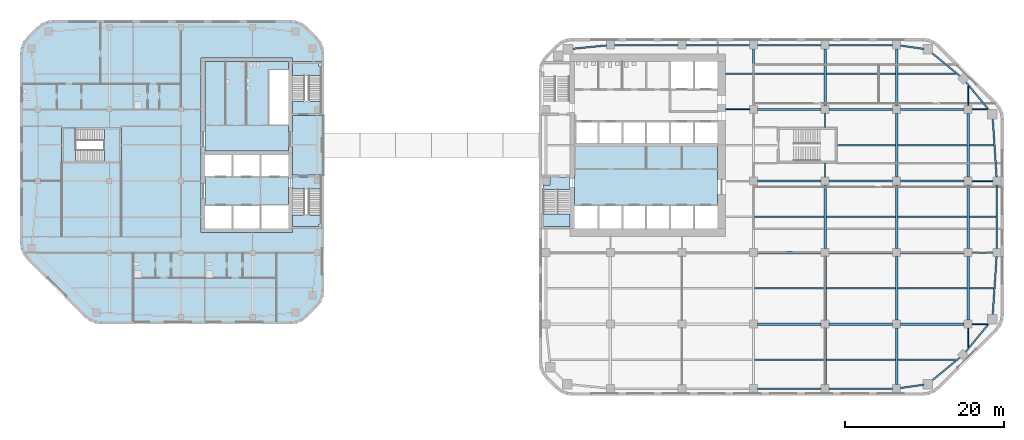
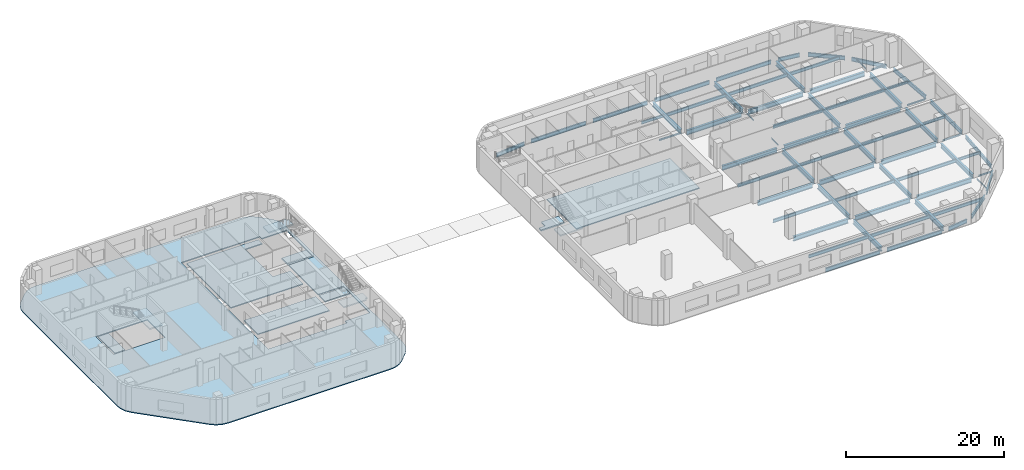
# One storey, part 3 of 15: 68 beams, 12 slabs, 4 elements without a shape of their own.
"""IFC4 building model written with IfcOpenShell, lengths in metres."""

from ifc_helpers import new_model, si_unit, direction, frame, origin, origin_2d, place, context, subcontext, project, spatial, polyline, i_section, outline, extrude, material, layer, layer_set, material_profile, profile_set, type_object, element, aggregate, save


model = new_model("IFC4")

# Units and contexts
model_context = context("Model", 3, precision=1e-05, world=origin(), true_north=direction((0.0, 1.0)))
body_context = subcontext(model_context, "Body", "Model", "MODEL_VIEW")
ifc_project = project(units=[si_unit("LENGTHUNIT", "METRE"), si_unit("AREAUNIT", "SQUARE_METRE"), si_unit("VOLUMEUNIT", "CUBIC_METRE"), si_unit("PLANEANGLEUNIT", "RADIAN"), si_unit("MASSUNIT", "GRAM", prefix="KILO")], contexts=[model_context])

# Site, building, storey
site_placement = place(None, origin())
site = spatial("IfcSite", under=ifc_project, at=site_placement, CompositionType="ELEMENT")
building_placement = place(site_placement, origin())
building = spatial("IfcBuilding", under=site, at=building_placement, Name="Cinnabar Reach Civic Tower", CompositionType="ELEMENT")
storey_placement = place(building_placement, frame((0.0, 0.0, 75.0)))
storey = spatial("IfcBuildingStorey", under=building, at=storey_placement, Name="L17", CompositionType="ELEMENT", Elevation=75.0)

# Beams
ifc_material_1 = material(Name="Steel Q355B", Category="steel")
ifc_material_profile_1 = material_profile(ifc_material_1, i_section(OverallWidth=0.099, OverallDepth=0.198, WebThickness=0.0045, FlangeThickness=0.007, FilletRadius=0.013, at=origin_2d()), Name="HN200x100x5.5x8")
ifc_profile_set_1 = profile_set([ifc_material_profile_1], Name="Steel Q355B")
beam_type_1 = type_object("IfcBeamType", Name="HN200x100x5.5x8 beam R 180", PredefinedType="BEAM", material=ifc_profile_set_1)
for number, where, z_axis, x_axis, name in (
    (1, (36.0, 27.502, -0.249), (0.0, 1.0, 0.0), (-1.0, 0.0, 0.0), "Girder T1 L17 15"),
    (2, (36.0, 33.752, -0.249), (0.0, 1.0, 0.0), (-1.0, 0.0, 0.0), "Girder T1 L17 16"),
):
    element("IfcBeam", number, at=place(storey_placement, frame(where, z_axis=z_axis, x_axis=x_axis)), inside=storey, type_object=beam_type_1, Name=name, PredefinedType="BEAM", context=body_context, shape_type="SweptSolid", body=[
        extrude(i_section(OverallWidth=0.099, OverallDepth=0.198, WebThickness=0.0045, FlangeThickness=0.007, FilletRadius=0.013, at=origin_2d()), origin(), (0.0, 0.0, 1.0), 1.746),
    ])
for number, where, z_axis, x_axis, name in (
    (3, (54.0, 6.0682, -0.249), (0.0, 1.0, 0.0), (-1.0, 0.0, 0.0), "Girder T1 L17 23"),
    (4, (54.0, 36.502, -0.249), (0.0, 1.0, 0.0), (-1.0, 0.0, 0.0), "Girder T1 L17 27"),
):
    element("IfcBeam", number, at=place(storey_placement, frame(where, z_axis=z_axis, x_axis=x_axis)), inside=storey, type_object=beam_type_1, Name=name, PredefinedType="BEAM", context=body_context, shape_type="SweptSolid", body=[
        extrude(i_section(OverallWidth=0.099, OverallDepth=0.198, WebThickness=0.0045, FlangeThickness=0.007, FilletRadius=0.013, at=origin_2d()), origin(), (0.0, 0.0, 1.0), 2.4298),
    ])
ifc_material_profile_2 = material_profile(ifc_material_1, i_section(OverallWidth=0.124, OverallDepth=0.248, WebThickness=0.005, FlangeThickness=0.008, FilletRadius=0.013, at=origin_2d()), Name="HN250x125x6x9")
ifc_profile_set_2 = profile_set([ifc_material_profile_2], Name="Steel Q355B")
beam_type_2 = type_object("IfcBeamType", Name="HN250x125x6x9 beam R 180", PredefinedType="BEAM", material=ifc_profile_set_2)
beam_1_placement = place(storey_placement, frame((54.502, 9.0, -0.274), z_axis=(1.0, 0.0, 0.0), x_axis=(0.0, 1.0, 0.0)))
element("IfcBeam", 5, at=beam_1_placement, inside=storey, type_object=beam_type_2, Name="Girder T1 L17 7", PredefinedType="BEAM", context=body_context, shape_type="SweptSolid", body=[
    extrude(i_section(OverallWidth=0.124, OverallDepth=0.248, WebThickness=0.005, FlangeThickness=0.008, FilletRadius=0.013, at=origin_2d()), origin(), (0.0, 0.0, 1.0), 1.9162),
])
for number, where, z_axis, x_axis, name in (
    (6, (54.502, 18.0, -0.274), (1.0, 0.0, 0.0), (0.0, 1.0, 0.0), "Girder T1 L17 14"),
    (7, (54.502, 27.0, -0.274), (1.0, 0.0, 0.0), (0.0, 1.0, 0.0), "Girder T1 L17 19"),
):
    element("IfcBeam", number, at=place(storey_placement, frame(where, z_axis=z_axis, x_axis=x_axis)), inside=storey, type_object=beam_type_2, Name=name, PredefinedType="BEAM", context=body_context, shape_type="SweptSolid", body=[
        extrude(i_section(OverallWidth=0.124, OverallDepth=0.248, WebThickness=0.005, FlangeThickness=0.008, FilletRadius=0.013, at=origin_2d()), origin(), (0.0, 0.0, 1.0), 2.596),
    ])
beam_2_placement = place(storey_placement, frame((23.502, 36.0, -0.274), z_axis=(1.0, 0.0, 0.0), x_axis=(0.0, 1.0, 0.0)))
element("IfcBeam", 8, at=beam_2_placement, inside=storey, type_object=beam_type_2, Name="Girder T1 L17 20", PredefinedType="BEAM", context=body_context, shape_type="SweptSolid", body=[
    extrude(i_section(OverallWidth=0.124, OverallDepth=0.248, WebThickness=0.005, FlangeThickness=0.008, FilletRadius=0.013, at=origin_2d()), origin(), (0.0, 0.0, 1.0), 2.996),
])
beam_3_placement = place(storey_placement, frame((54.502, 36.0, -0.274), z_axis=(1.0, 0.0, 0.0), x_axis=(0.0, 1.0, 0.0)))
element("IfcBeam", 9, at=beam_3_placement, inside=storey, type_object=beam_type_2, Name="Girder T1 L17 24", PredefinedType="BEAM", context=body_context, shape_type="SweptSolid", body=[
    extrude(i_section(OverallWidth=0.124, OverallDepth=0.248, WebThickness=0.005, FlangeThickness=0.008, FilletRadius=0.013, at=origin_2d()), origin(), (0.0, 0.0, 1.0), 1.9162),
])
ifc_material_profile_3 = material_profile(ifc_material_1, i_section(OverallWidth=0.2, OverallDepth=0.4, WebThickness=0.008, FlangeThickness=0.013, FilletRadius=0.016, at=origin_2d()), Name="HN400x200x8x13")
ifc_profile_set_3 = profile_set([ifc_material_profile_3], Name="Steel Q355B")
beam_type_3 = type_object("IfcBeamType", Name="HN400x200x8x13 beam R 180", PredefinedType="BEAM", material=ifc_profile_set_3)
beam_4_placement = place(storey_placement, frame((54.152, 13.5, -0.35), z_axis=(1.0, 0.0, 0.0), x_axis=(0.0, 1.0, 0.0)))
element("IfcBeam", 10, at=beam_4_placement, inside=storey, type_object=beam_type_3, Name="Secondary beam T1 L17 13", PredefinedType="BEAM", context=body_context, shape_type="SweptSolid", body=[
    extrude(i_section(OverallWidth=0.2, OverallDepth=0.4, WebThickness=0.008, FlangeThickness=0.013, FilletRadius=0.016, at=origin_2d()), origin(), (0.0, 0.0, 1.0), 3.0494),
])
beam_5_placement = place(storey_placement, frame((54.152, 22.5, -0.35), z_axis=(1.0, 0.0, 0.0), x_axis=(0.0, 1.0, 0.0)))
element("IfcBeam", 11, at=beam_5_placement, inside=storey, type_object=beam_type_3, Name="Secondary beam T1 L17 18", PredefinedType="BEAM", context=body_context, shape_type="SweptSolid", body=[
    extrude(i_section(OverallWidth=0.2, OverallDepth=0.4, WebThickness=0.008, FlangeThickness=0.013, FilletRadius=0.016, at=origin_2d()), origin(), (0.0, 0.0, 1.0), 3.346),
])
beam_6_placement = place(storey_placement, frame((54.152, 31.5, -0.35), z_axis=(1.0, 0.0, 0.0), x_axis=(0.0, 1.0, 0.0)))
element("IfcBeam", 12, at=beam_6_placement, inside=storey, type_object=beam_type_3, Name="Secondary beam T1 L17 24", PredefinedType="BEAM", context=body_context, shape_type="SweptSolid", body=[
    extrude(i_section(OverallWidth=0.2, OverallDepth=0.4, WebThickness=0.008, FlangeThickness=0.013, FilletRadius=0.016, at=origin_2d()), origin(), (0.0, 0.0, 1.0), 3.0494),
])
beam_7_placement = place(storey_placement, frame((23.502, 40.5, -0.35), z_axis=(1.0, 0.0, 0.0), x_axis=(0.0, 1.0, 0.0)))
element("IfcBeam", 13, at=beam_7_placement, inside=storey, type_object=beam_type_3, Name="Secondary beam T1 L17 25", PredefinedType="BEAM", context=body_context, shape_type="SweptSolid", body=[
    extrude(i_section(OverallWidth=0.2, OverallDepth=0.4, WebThickness=0.008, FlangeThickness=0.013, FilletRadius=0.016, at=origin_2d()), origin(), (0.0, 0.0, 1.0), 3.346),
])
ifc_material_profile_4 = material_profile(ifc_material_1, i_section(OverallWidth=0.2, OverallDepth=0.5, WebThickness=0.01, FlangeThickness=0.016, FilletRadius=0.016, at=origin_2d()), Name="HN500x200x10x16")
ifc_profile_set_4 = profile_set([ifc_material_profile_4], Name="Steel Q355B")
beam_type_4 = type_object("IfcBeamType", Name="HN500x200x10x16 beam R 180", PredefinedType="BEAM", material=ifc_profile_set_4)
for number, where, z_axis, x_axis, name in (
    (14, (27.152, 4.5, -0.4), (1.0, 0.0, 0.0), (0.0, 1.0, 0.0), "Secondary beam T1 L17 4"),
    (15, (36.152, 4.5, -0.4), (1.0, 0.0, 0.0), (0.0, 1.0, 0.0), "Secondary beam T1 L17 5"),
):
    element("IfcBeam", number, at=place(storey_placement, frame(where, z_axis=z_axis, x_axis=x_axis)), inside=storey, type_object=beam_type_4, Name=name, PredefinedType="BEAM", context=body_context, shape_type="SweptSolid", body=[
        extrude(i_section(OverallWidth=0.2, OverallDepth=0.5, WebThickness=0.01, FlangeThickness=0.016, FilletRadius=0.016, at=origin_2d()), origin(), (0.0, 0.0, 1.0), 8.696),
    ])
beam_8_placement = place(storey_placement, frame((45.152, 4.5, -0.4), z_axis=(1.0, 0.0, 0.0), x_axis=(0.0, 1.0, 0.0)))
element("IfcBeam", 16, at=beam_8_placement, inside=storey, type_object=beam_type_4, Name="Secondary beam T1 L17 6", PredefinedType="BEAM", context=body_context, shape_type="SweptSolid", body=[
    extrude(i_section(OverallWidth=0.2, OverallDepth=0.5, WebThickness=0.01, FlangeThickness=0.016, FilletRadius=0.016, at=origin_2d()), origin(), (0.0, 0.0, 1.0), 7.2798),
])
for number, where, z_axis, x_axis, name in (
    (17, (27.152, 13.5, -0.4), (1.0, 0.0, 0.0), (0.0, 1.0, 0.0), "Secondary beam T1 L17 10"),
    (18, (36.152, 13.5, -0.4), (1.0, 0.0, 0.0), (0.0, 1.0, 0.0), "Secondary beam T1 L17 11"),
    (19, (45.152, 13.5, -0.4), (1.0, 0.0, 0.0), (0.0, 1.0, 0.0), "Secondary beam T1 L17 12"),
    (20, (27.152, 22.5, -0.4), (1.0, 0.0, 0.0), (0.0, 1.0, 0.0), "Secondary beam T1 L17 15"),
    (21, (36.152, 22.5, -0.4), (1.0, 0.0, 0.0), (0.0, 1.0, 0.0), "Secondary beam T1 L17 16"),
    (22, (45.152, 22.5, -0.4), (1.0, 0.0, 0.0), (0.0, 1.0, 0.0), "Secondary beam T1 L17 17"),
):
    element("IfcBeam", number, at=place(storey_placement, frame(where, z_axis=z_axis, x_axis=x_axis)), inside=storey, type_object=beam_type_4, Name=name, PredefinedType="BEAM", context=body_context, shape_type="SweptSolid", body=[
        extrude(i_section(OverallWidth=0.2, OverallDepth=0.5, WebThickness=0.01, FlangeThickness=0.016, FilletRadius=0.016, at=origin_2d()), origin(), (0.0, 0.0, 1.0), 8.696),
    ])
beam_9_placement = place(storey_placement, frame((37.502, 31.5, -0.4), z_axis=(1.0, 0.0, 0.0), x_axis=(0.0, 1.0, 0.0)))
element("IfcBeam", 23, at=beam_9_placement, inside=storey, type_object=beam_type_4, Name="Secondary beam T1 L17 22", PredefinedType="BEAM", context=body_context, shape_type="SweptSolid", body=[
    extrude(i_section(OverallWidth=0.2, OverallDepth=0.5, WebThickness=0.01, FlangeThickness=0.016, FilletRadius=0.016, at=origin_2d()), origin(), (0.0, 0.0, 1.0), 7.346),
])
for number, where, z_axis, x_axis, name in (
    (24, (45.152, 31.5, -0.4), (1.0, 0.0, 0.0), (0.0, 1.0, 0.0), "Secondary beam T1 L17 23"),
    (25, (27.152, 40.5, -0.4), (1.0, 0.0, 0.0), (0.0, 1.0, 0.0), "Secondary beam T1 L17 26"),
    (26, (36.152, 40.5, -0.4), (1.0, 0.0, 0.0), (0.0, 1.0, 0.0), "Secondary beam T1 L17 27"),
):
    element("IfcBeam", number, at=place(storey_placement, frame(where, z_axis=z_axis, x_axis=x_axis)), inside=storey, type_object=beam_type_4, Name=name, PredefinedType="BEAM", context=body_context, shape_type="SweptSolid", body=[
        extrude(i_section(OverallWidth=0.2, OverallDepth=0.5, WebThickness=0.01, FlangeThickness=0.016, FilletRadius=0.016, at=origin_2d()), origin(), (0.0, 0.0, 1.0), 8.696),
    ])
beam_10_placement = place(storey_placement, frame((45.152, 40.5, -0.4), z_axis=(1.0, 0.0, 0.0), x_axis=(0.0, 1.0, 0.0)))
element("IfcBeam", 27, at=beam_10_placement, inside=storey, type_object=beam_type_4, Name="Secondary beam T1 L17 28", PredefinedType="BEAM", context=body_context, shape_type="SweptSolid", body=[
    extrude(i_section(OverallWidth=0.2, OverallDepth=0.5, WebThickness=0.01, FlangeThickness=0.016, FilletRadius=0.016, at=origin_2d()), origin(), (0.0, 0.0, 1.0), 7.2798),
])
ifc_material_profile_5 = material_profile(ifc_material_1, i_section(OverallWidth=0.2, OverallDepth=0.6, WebThickness=0.011, FlangeThickness=0.017, FilletRadius=0.016, at=origin_2d()), Name="HN600x200x11x17")
ifc_profile_set_5 = profile_set([ifc_material_profile_5], Name="Steel Q355B")
beam_type_5 = type_object("IfcBeamType", Name="HN600x200x11x17 beam R 180", PredefinedType="BEAM", material=ifc_profile_set_5)
for number, where, z_axis, x_axis, name in (
    (28, (27.502, 0.9, -0.45), (1.0, 0.0, 0.0), (0.0, 1.0, 0.0), "Edge beam T1 L17 4"),
    (29, (36.502, 0.9, -0.45), (1.0, 0.0, 0.0), (0.0, 1.0, 0.0), "Edge beam T1 L17 5"),
):
    element("IfcBeam", number, at=place(storey_placement, frame(where, z_axis=z_axis, x_axis=x_axis)), inside=storey, type_object=beam_type_5, Name=name, PredefinedType="BEAM", context=body_context, shape_type="SweptSolid", body=[
        extrude(i_section(OverallWidth=0.2, OverallDepth=0.6, WebThickness=0.011, FlangeThickness=0.017, FilletRadius=0.016, at=origin_2d()), origin(), (0.0, 0.0, 1.0), 7.996),
    ])
beam_11_placement = place(storey_placement, frame((45.502, 0.9712, -0.45), z_axis=(0.990082238922, 0.140489003738, 0.0), x_axis=(-0.140489003738, 0.990082238922, 0.0)))
element("IfcBeam", 30, at=beam_11_placement, inside=storey, type_object=beam_type_5, Name="Edge beam T1 L17 6", PredefinedType="BEAM", context=body_context, shape_type="SweptSolid", body=[
    extrude(i_section(OverallWidth=0.2, OverallDepth=0.6, WebThickness=0.011, FlangeThickness=0.017, FilletRadius=0.016, at=origin_2d()), origin(), (0.0, 0.0, 1.0), 2.9433),
])
for number, where, z_axis, x_axis, name in (
    (31, (49.3801, 1.8507, -0.45), (0.77143827905, 0.6363041581, 0.0), (-0.6363041581, 0.77143827905, 0.0), "Edge beam T1 L17 7"),
    (32, (53.6461, 5.4789, -0.45), (0.6363041581, 0.77143827905, 0.0), (-0.77143827905, 0.6363041581, 0.0), "Edge beam T1 L17 8"),
):
    element("IfcBeam", number, at=place(storey_placement, frame(where, z_axis=z_axis, x_axis=x_axis)), inside=storey, type_object=beam_type_5, Name=name, PredefinedType="BEAM", context=body_context, shape_type="SweptSolid", body=[
        extrude(i_section(OverallWidth=0.2, OverallDepth=0.6, WebThickness=0.011, FlangeThickness=0.017, FilletRadius=0.016, at=origin_2d()), origin(), (0.0, 0.0, 1.0), 4.7198),
    ])
beam_12_placement = place(storey_placement, frame((57.0786, 10.0839, -0.45), z_axis=(0.065718615968, 0.997838195057, 0.0), x_axis=(-0.997838195057, 0.065718615968, 0.0)))
element("IfcBeam", 33, at=beam_12_placement, inside=storey, type_object=beam_type_5, Name="Edge beam T1 L17 9", PredefinedType="BEAM", context=body_context, shape_type="SweptSolid", body=[
    extrude(i_section(OverallWidth=0.2, OverallDepth=0.6, WebThickness=0.011, FlangeThickness=0.017, FilletRadius=0.016, at=origin_2d()), origin(), (0.0, 0.0, 1.0), 7.4302),
])
beam_13_placement = place(storey_placement, frame((57.6, 18.502, -0.45), z_axis=(0.0, 1.0, 0.0), x_axis=(-1.0, 0.0, 0.0)))
element("IfcBeam", 34, at=beam_13_placement, inside=storey, type_object=beam_type_5, Name="Edge beam T1 L17 10", PredefinedType="BEAM", context=body_context, shape_type="SweptSolid", body=[
    extrude(i_section(OverallWidth=0.2, OverallDepth=0.6, WebThickness=0.011, FlangeThickness=0.017, FilletRadius=0.016, at=origin_2d()), origin(), (0.0, 0.0, 1.0), 7.996),
])
beam_14_placement = place(storey_placement, frame((57.5669, 27.502, -0.45), z_axis=(-0.065718615968, 0.997838195057, 0.0), x_axis=(-0.997838195057, -0.065718615968, 0.0)))
element("IfcBeam", 35, at=beam_14_placement, inside=storey, type_object=beam_type_5, Name="Edge beam T1 L17 11", PredefinedType="BEAM", context=body_context, shape_type="SweptSolid", body=[
    extrude(i_section(OverallWidth=0.2, OverallDepth=0.6, WebThickness=0.011, FlangeThickness=0.017, FilletRadius=0.016, at=origin_2d()), origin(), (0.0, 0.0, 1.0), 7.4302),
])
for number, where, z_axis, x_axis, name in (
    (36, (56.6493, 35.8801, -0.45), (-0.6363041581, 0.77143827905, 0.0), (-0.77143827905, -0.6363041581, 0.0), "Edge beam T1 L17 12"),
    (37, (53.0211, 40.1461, -0.45), (-0.77143827905, 0.6363041581, 0.0), (-0.6363041581, -0.77143827905, 0.0), "Edge beam T1 L17 13"),
):
    element("IfcBeam", number, at=place(storey_placement, frame(where, z_axis=z_axis, x_axis=x_axis)), inside=storey, type_object=beam_type_5, Name=name, PredefinedType="BEAM", context=body_context, shape_type="SweptSolid", body=[
        extrude(i_section(OverallWidth=0.2, OverallDepth=0.6, WebThickness=0.011, FlangeThickness=0.017, FilletRadius=0.016, at=origin_2d()), origin(), (0.0, 0.0, 1.0), 4.7198),
    ])
beam_15_placement = place(storey_placement, frame((48.4161, 43.6153, -0.45), z_axis=(-0.990082238922, 0.140489003738, 0.0), x_axis=(-0.140489003738, -0.990082238922, 0.0)))
element("IfcBeam", 38, at=beam_15_placement, inside=storey, type_object=beam_type_5, Name="Edge beam T1 L17 14", PredefinedType="BEAM", context=body_context, shape_type="SweptSolid", body=[
    extrude(i_section(OverallWidth=0.2, OverallDepth=0.6, WebThickness=0.011, FlangeThickness=0.017, FilletRadius=0.016, at=origin_2d()), origin(), (0.0, 0.0, 1.0), 2.9433),
])
for number, where, z_axis, x_axis, name in (
    (39, (44.498, 44.1, -0.45), (-1.0, 0.0, 0.0), (0.0, -1.0, 0.0), "Edge beam T1 L17 15"),
    (40, (35.498, 44.1, -0.45), (-1.0, 0.0, 0.0), (0.0, -1.0, 0.0), "Edge beam T1 L17 16"),
    (41, (26.498, 44.1, -0.45), (-1.0, 0.0, 0.0), (0.0, -1.0, 0.0), "Edge beam T1 L17 17"),
    (42, (17.498, 44.1, -0.45), (-1.0, 0.0, 0.0), (0.0, -1.0, 0.0), "Edge beam T1 L17 18"),
):
    element("IfcBeam", number, at=place(storey_placement, frame(where, z_axis=z_axis, x_axis=x_axis)), inside=storey, type_object=beam_type_5, Name=name, PredefinedType="BEAM", context=body_context, shape_type="SweptSolid", body=[
        extrude(i_section(OverallWidth=0.2, OverallDepth=0.6, WebThickness=0.011, FlangeThickness=0.017, FilletRadius=0.016, at=origin_2d()), origin(), (0.0, 0.0, 1.0), 7.996),
    ])
beam_16_placement = place(storey_placement, frame((8.498, 44.0505, -0.45), z_axis=(-0.995166374533, -0.098203294236, 0.0), x_axis=(0.098203294236, -0.995166374533, 0.0)))
element("IfcBeam", 43, at=beam_16_placement, inside=storey, type_object=beam_type_5, Name="Edge beam T1 L17 19", PredefinedType="BEAM", context=body_context, shape_type="SweptSolid", body=[
    extrude(i_section(OverallWidth=0.2, OverallDepth=0.6, WebThickness=0.011, FlangeThickness=0.017, FilletRadius=0.016, at=origin_2d()), origin(), (0.0, 0.0, 1.0), 4.3705),
])
ifc_material_profile_6 = material_profile(ifc_material_1, i_section(OverallWidth=0.3, OverallDepth=0.692, WebThickness=0.013, FlangeThickness=0.02, FilletRadius=0.016, at=origin_2d()), Name="HN692x300x13x20")
ifc_profile_set_6 = profile_set([ifc_material_profile_6], Name="Steel Q355B")
beam_type_6 = type_object("IfcBeamType", Name="HN692x300x13x20 beam R 180", PredefinedType="BEAM", material=ifc_profile_set_6)
for number, where, z_axis, x_axis, name in (
    (44, (27.0, 36.502, -0.496), (0.0, 1.0, 0.0), (-1.0, 0.0, 0.0), "Girder T1 L17 11"),
    (45, (36.0, 1.402, -0.496), (0.0, 1.0, 0.0), (-1.0, 0.0, 0.0), "Girder T1 L17 12"),
):
    element("IfcBeam", number, at=place(storey_placement, frame(where, z_axis=z_axis, x_axis=x_axis)), inside=storey, type_object=beam_type_6, Name=name, PredefinedType="BEAM", context=body_context, shape_type="SweptSolid", body=[
        extrude(i_section(OverallWidth=0.3, OverallDepth=0.692, WebThickness=0.013, FlangeThickness=0.02, FilletRadius=0.016, at=origin_2d()), origin(), (0.0, 0.0, 1.0), 7.096),
    ])
for number, where, z_axis, x_axis, name in (
    (46, (36.0, 9.502, -0.496), (0.0, 1.0, 0.0), (-1.0, 0.0, 0.0), "Girder T1 L17 13"),
    (47, (36.0, 18.502, -0.496), (0.0, 1.0, 0.0), (-1.0, 0.0, 0.0), "Girder T1 L17 14"),
):
    element("IfcBeam", number, at=place(storey_placement, frame(where, z_axis=z_axis, x_axis=x_axis)), inside=storey, type_object=beam_type_6, Name=name, PredefinedType="BEAM", context=body_context, shape_type="SweptSolid", body=[
        extrude(i_section(OverallWidth=0.3, OverallDepth=0.692, WebThickness=0.013, FlangeThickness=0.02, FilletRadius=0.016, at=origin_2d()), origin(), (0.0, 0.0, 1.0), 7.996),
    ])
for number, where, z_axis, x_axis, name in (
    (48, (36.0, 36.502, -0.496), (0.0, 1.0, 0.0), (-1.0, 0.0, 0.0), "Girder T1 L17 17"),
    (49, (45.0, 1.402, -0.496), (0.0, 1.0, 0.0), (-1.0, 0.0, 0.0), "Girder T1 L17 18"),
):
    element("IfcBeam", number, at=place(storey_placement, frame(where, z_axis=z_axis, x_axis=x_axis)), inside=storey, type_object=beam_type_6, Name=name, PredefinedType="BEAM", context=body_context, shape_type="SweptSolid", body=[
        extrude(i_section(OverallWidth=0.3, OverallDepth=0.692, WebThickness=0.013, FlangeThickness=0.02, FilletRadius=0.016, at=origin_2d()), origin(), (0.0, 0.0, 1.0), 7.096),
    ])
for number, where, z_axis, x_axis, name in (
    (50, (45.0, 9.502, -0.496), (0.0, 1.0, 0.0), (-1.0, 0.0, 0.0), "Girder T1 L17 19"),
    (51, (45.0, 18.502, -0.496), (0.0, 1.0, 0.0), (-1.0, 0.0, 0.0), "Girder T1 L17 20"),
    (52, (45.0, 27.502, -0.496), (0.0, 1.0, 0.0), (-1.0, 0.0, 0.0), "Girder T1 L17 21"),
):
    element("IfcBeam", number, at=place(storey_placement, frame(where, z_axis=z_axis, x_axis=x_axis)), inside=storey, type_object=beam_type_6, Name=name, PredefinedType="BEAM", context=body_context, shape_type="SweptSolid", body=[
        extrude(i_section(OverallWidth=0.3, OverallDepth=0.692, WebThickness=0.013, FlangeThickness=0.02, FilletRadius=0.016, at=origin_2d()), origin(), (0.0, 0.0, 1.0), 7.996),
    ])
beam_17_placement = place(storey_placement, frame((45.0, 36.502, -0.496), z_axis=(0.0, 1.0, 0.0), x_axis=(-1.0, 0.0, 0.0)))
element("IfcBeam", 53, at=beam_17_placement, inside=storey, type_object=beam_type_6, Name="Girder T1 L17 22", PredefinedType="BEAM", context=body_context, shape_type="SweptSolid", body=[
    extrude(i_section(OverallWidth=0.3, OverallDepth=0.692, WebThickness=0.013, FlangeThickness=0.02, FilletRadius=0.016, at=origin_2d()), origin(), (0.0, 0.0, 1.0), 7.096),
])
for number, where, z_axis, x_axis, name in (
    (54, (54.0, 9.502, -0.496), (0.0, 1.0, 0.0), (-1.0, 0.0, 0.0), "Girder T1 L17 24"),
    (55, (54.0, 18.502, -0.496), (0.0, 1.0, 0.0), (-1.0, 0.0, 0.0), "Girder T1 L17 25"),
    (56, (54.0, 27.502, -0.496), (0.0, 1.0, 0.0), (-1.0, 0.0, 0.0), "Girder T1 L17 26"),
):
    element("IfcBeam", number, at=place(storey_placement, frame(where, z_axis=z_axis, x_axis=x_axis)), inside=storey, type_object=beam_type_6, Name=name, PredefinedType="BEAM", context=body_context, shape_type="SweptSolid", body=[
        extrude(i_section(OverallWidth=0.3, OverallDepth=0.692, WebThickness=0.013, FlangeThickness=0.02, FilletRadius=0.016, at=origin_2d()), origin(), (0.0, 0.0, 1.0), 7.996),
    ])
ifc_material_profile_7 = material_profile(ifc_material_1, i_section(OverallWidth=0.3, OverallDepth=0.7, WebThickness=0.013, FlangeThickness=0.024, FilletRadius=0.02, at=origin_2d()), Name="HN700x300x13x24")
ifc_profile_set_7 = profile_set([ifc_material_profile_7], Name="Steel Q355B")
beam_type_7 = type_object("IfcBeamType", Name="HN700x300x13x24 beam R 180", PredefinedType="BEAM", material=ifc_profile_set_7)
for number, where, z_axis, x_axis, name in (
    (57, (27.502, 9.0, -0.5), (1.0, 0.0, 0.0), (0.0, 1.0, 0.0), "Girder T1 L17 4"),
    (58, (36.502, 9.0, -0.5), (1.0, 0.0, 0.0), (0.0, 1.0, 0.0), "Girder T1 L17 5"),
    (59, (45.502, 9.0, -0.5), (1.0, 0.0, 0.0), (0.0, 1.0, 0.0), "Girder T1 L17 6"),
    (60, (27.502, 18.0, -0.5), (1.0, 0.0, 0.0), (0.0, 1.0, 0.0), "Girder T1 L17 11"),
    (61, (36.502, 18.0, -0.5), (1.0, 0.0, 0.0), (0.0, 1.0, 0.0), "Girder T1 L17 12"),
    (62, (45.502, 18.0, -0.5), (1.0, 0.0, 0.0), (0.0, 1.0, 0.0), "Girder T1 L17 13"),
    (63, (27.502, 27.0, -0.5), (1.0, 0.0, 0.0), (0.0, 1.0, 0.0), "Girder T1 L17 16"),
    (64, (36.502, 27.0, -0.5), (1.0, 0.0, 0.0), (0.0, 1.0, 0.0), "Girder T1 L17 17"),
    (65, (45.502, 27.0, -0.5), (1.0, 0.0, 0.0), (0.0, 1.0, 0.0), "Girder T1 L17 18"),
    (66, (27.502, 36.0, -0.5), (1.0, 0.0, 0.0), (0.0, 1.0, 0.0), "Girder T1 L17 21"),
    (67, (36.502, 36.0, -0.5), (1.0, 0.0, 0.0), (0.0, 1.0, 0.0), "Girder T1 L17 22"),
    (68, (45.502, 36.0, -0.5), (1.0, 0.0, 0.0), (0.0, 1.0, 0.0), "Girder T1 L17 23"),
):
    element("IfcBeam", number, at=place(storey_placement, frame(where, z_axis=z_axis, x_axis=x_axis)), inside=storey, type_object=beam_type_7, Name=name, PredefinedType="BEAM", context=body_context, shape_type="SweptSolid", body=[
        extrude(i_section(OverallWidth=0.3, OverallDepth=0.7, WebThickness=0.013, FlangeThickness=0.024, FilletRadius=0.02, at=origin_2d()), origin(), (0.0, 0.0, 1.0), 7.996),
    ])

# Slab
ifc_material_2 = material(Name="Concrete C40", Category="concrete")
ifc_layer_1 = layer(ifc_material_2, 0.15)
ifc_layer_set_1 = layer_set([ifc_layer_1], Name="Composite floor slab 150 REI 120")
slab_type_1 = type_object("IfcSlabType", Name="Composite floor slab 150 REI 120", PredefinedType="FLOOR", material=ifc_layer_set_1)
slab_1_placement = place(storey_placement, frame((0.0, 0.0, -0.15)))
element("IfcSlab", 69, at=slab_1_placement, inside=storey, type_object=slab_type_1, Name="Composite floor slab 150 T2 L17", PredefinedType="FLOOR", context=body_context, shape_type="SweptSolid", body=[
    extrude(outline(polyline([(-64.3713, 17.1213), (-64.8481, 17.7426), (-65.1478, 18.4662), (-65.25, 19.2426), (-65.25, 43.0074), (-65.1478, 43.7838), (-64.8481, 44.5074), (-64.3713, 45.1287), (-63.1287, 46.3713), (-62.5074, 46.8481), (-61.7838, 47.1478), (-61.0074, 47.25), (-31.2426, 47.25), (-30.4662, 47.1478), (-29.7426, 46.8481), (-29.1213, 46.3713), (-27.8787, 45.1287), (-27.4019, 44.5074), (-27.1022, 43.7838), (-27.0, 43.0074), (-27.0, 13.2426), (-27.1022, 12.4662), (-27.4019, 11.7426), (-27.8787, 11.1213), (-29.1213, 9.8787), (-29.7426, 9.4019), (-30.4662, 9.1022), (-31.2426, 9.0), (-55.0074, 9.0), (-55.7838, 9.1022), (-56.5074, 9.4019), (-57.1287, 9.8787), (-64.3713, 17.1213)]), holes=[polyline([(-31.0, 27.75), (-31.0, 35.25), (-27.36, 35.25), (-27.36, 42.0), (-31.0, 42.0), (-31.0, 42.5), (-42.5, 42.5), (-42.5, 20.5), (-31.0, 20.5), (-31.0, 21.0), (-27.36, 21.0), (-27.36, 27.75), (-31.0, 27.75)]), polyline([(-60.0, 33.75), (-60.0, 29.25), (-52.5, 29.25), (-52.5, 33.75), (-60.0, 33.75)])]), origin(), (0.0, 0.0, 1.0), 0.15),
])

# Stair, slabs
ifc_material_3 = material(Name="Concrete C40/50", Category="concrete")
stair_type_1 = type_object("IfcStairType", Name="T1 Exit stair, half-turn", PredefinedType="HALF_TURN_STAIR", material=ifc_material_3)
stair_1_placement = place(storey_placement, origin())
stair_1 = element("IfcStair", 70, at=stair_1_placement, inside=storey, type_object=stair_type_1, Name="Stair T1-S1", PredefinedType="HALF_TURN_STAIR")
ifc_layer_2 = layer(ifc_material_3, 0.2)
ifc_layer_set_2 = layer_set([ifc_layer_2], Name="T1 Stair landing 200, Concrete C40/50")
slab_type_2 = type_object("IfcSlabType", Name="T1 Stair landing 200, Concrete C40/50", PredefinedType="LANDING", material=ifc_layer_set_2)
slab_2_placement = place(storey_placement, frame((0.0, 0.0, -0.2)))
slab_2 = element("IfcSlab", 71, at=slab_2_placement, type_object=slab_type_2, Name="T1-S1 landing 1", PredefinedType="LANDING", context=body_context, shape_type="SweptSolid", body=[
    extrude(outline(polyline([(3.9, 27.5), (3.9, 25.95), (0.5, 25.95), (0.5, 26.5), (1.4, 26.5), (1.4, 27.5), (3.9, 27.5)])), origin(), (0.0, 0.0, 1.0), 0.2),
])
slab_3_placement = place(storey_placement, frame((0.0, 0.0, 1.8)))
slab_3 = element("IfcSlab", 72, at=slab_3_placement, type_object=slab_type_2, Name="T1-S1 landing 2", PredefinedType="LANDING", context=body_context, shape_type="SweptSolid", body=[
    extrude(outline(polyline([(0.6, 21.25), (0.6, 22.87), (3.9, 22.87), (3.9, 21.25), (0.6, 21.25)])), origin(), (0.0, 0.0, 1.0), 0.2),
])
aggregate(stair_1, [slab_2, slab_3])

# Slabs
ifc_layer_3 = layer(ifc_material_3, 0.15)
ifc_layer_set_3 = layer_set([ifc_layer_3], Name="T1 core floor slab 150")
slab_type_3 = type_object("IfcSlabType", Name="T1 core floor slab 150", PredefinedType="FLOOR", material=ifc_layer_set_3)
slab_4_placement = place(storey_placement, frame((0.0, 0.0, -0.15)))
element("IfcSlab", 73, at=slab_4_placement, inside=storey, type_object=slab_type_3, Name="Core floor slab L17", PredefinedType="FLOOR", context=body_context, shape_type="SweptSolid", body=[
    extrude(outline(polyline([(22.5, 24.0), (19.5, 24.0), (16.5, 24.0), (13.5, 24.0), (10.5, 24.0), (7.5, 24.0), (4.5, 24.0), (4.5, 31.5), (7.5, 31.5), (10.5, 31.5), (13.5, 31.5), (16.5, 31.5), (19.5, 31.5), (22.5, 31.5), (22.5, 24.0)])), origin(), (0.0, 0.0, 1.0), 0.15),
])
ifc_layer_4 = layer(ifc_material_2, 0.15)
ifc_layer_set_4 = layer_set([ifc_layer_4], Name="T2 Core floor slab 150")
slab_type_4 = type_object("IfcSlabType", Name="T2 Core floor slab 150", PredefinedType="FLOOR", material=ifc_layer_set_4)
slab_5_placement = place(storey_placement, frame((0.0, 0.0, -0.15)))
element("IfcSlab", 74, at=slab_5_placement, inside=storey, type_object=slab_type_4, Name="Core floor slab L17", PredefinedType="FLOOR", context=body_context, shape_type="SweptSolid", body=[
    extrude(outline(polyline([(-42.0, 42.0), (-31.5, 42.0), (-31.5, 41.0), (-34.0, 41.0), (-34.0, 34.0), (-31.5, 34.0), (-31.5, 30.75), (-42.0, 30.75), (-42.0, 42.0)])), origin(), (0.0, 0.0, 1.0), 0.15),
])
slab_6_placement = place(storey_placement, frame((0.0, 0.0, -0.15)))
element("IfcSlab", 75, at=slab_6_placement, inside=storey, type_object=slab_type_4, Name="Core floor slab L17", PredefinedType="FLOOR", context=body_context, shape_type="SweptSolid", body=[
    extrude(outline(polyline([(-35.0, 24.0), (-38.5, 24.0), (-42.0, 24.0), (-42.0, 27.5), (-38.5, 27.5), (-35.0, 27.5), (-31.5, 27.5), (-31.5, 24.0), (-35.0, 24.0)])), origin(), (0.0, 0.0, 1.0), 0.15),
])

# Stair, slabs
stair_type_2 = type_object("IfcStairType", Name="T2 Exit stair 1500", PredefinedType="HALF_TURN_STAIR", material=ifc_material_2)
stair_2_placement = place(storey_placement, origin())
stair_2 = element("IfcStair", 76, at=stair_2_placement, inside=storey, type_object=stair_type_2, Name="Exit stair 1", PredefinedType="HALF_TURN_STAIR")
ifc_layer_5 = layer(ifc_material_2, 0.2)
ifc_layer_set_5 = layer_set([ifc_layer_5], Name="T2 Stair landing 200")
slab_type_5 = type_object("IfcSlabType", Name="T2 Stair landing 200", PredefinedType="LANDING", material=ifc_layer_set_5)
slab_7_placement = place(storey_placement, frame((0.0, 0.0, -0.2)))
slab_7 = element("IfcSlab", 77, at=slab_7_placement, type_object=slab_type_5, Name="ST1 landing 1", PredefinedType="LANDING", context=body_context, shape_type="SweptSolid", body=[
    extrude(outline(polyline([(-31.0, 26.0), (-31.0, 27.5), (-27.4, 27.5), (-27.4, 26.0), (-31.0, 26.0)])), origin(), (0.0, 0.0, 1.0), 0.2),
])
slab_8_placement = place(storey_placement, frame((0.0, 0.0, 1.8)))
slab_8 = element("IfcSlab", 78, at=slab_8_placement, type_object=slab_type_5, Name="ST1 landing 2", PredefinedType="LANDING", context=body_context, shape_type="SweptSolid", body=[
    extrude(outline(polyline([(-31.0, 21.25), (-31.0, 22.75), (-27.4, 22.75), (-27.4, 21.55), (-27.7, 21.55), (-27.7, 21.25), (-31.0, 21.25)])), origin(), (0.0, 0.0, 1.0), 0.2),
])
aggregate(stair_2, [slab_7, slab_8])

stair_3_placement = place(storey_placement, origin())
stair_3 = element("IfcStair", 79, at=stair_3_placement, inside=storey, type_object=stair_type_2, Name="Exit stair 2", PredefinedType="HALF_TURN_STAIR")
slab_9_placement = place(storey_placement, frame((0.0, 0.0, -0.2)))
slab_9 = element("IfcSlab", 80, at=slab_9_placement, type_object=slab_type_5, Name="ST2 landing 1", PredefinedType="LANDING", context=body_context, shape_type="SweptSolid", body=[
    extrude(outline(polyline([(-31.0, 35.5), (-31.0, 37.0), (-27.4, 37.0), (-27.4, 35.5), (-31.0, 35.5)])), origin(), (0.0, 0.0, 1.0), 0.2),
])
slab_10_placement = place(storey_placement, frame((0.0, 0.0, 1.8)))
slab_10 = element("IfcSlab", 81, at=slab_10_placement, type_object=slab_type_5, Name="ST2 landing 2", PredefinedType="LANDING", context=body_context, shape_type="SweptSolid", body=[
    extrude(outline(polyline([(-27.4, 40.25), (-31.0, 40.25), (-31.0, 41.75), (-27.7, 41.75), (-27.7, 41.45), (-27.4, 41.45), (-27.4, 40.25)])), origin(), (0.0, 0.0, 1.0), 0.2),
])
aggregate(stair_3, [slab_9, slab_10])

stair_4_placement = place(storey_placement, origin())
stair_4 = element("IfcStair", 82, at=stair_4_placement, inside=storey, type_object=stair_type_2, Name="Exit stair 3", PredefinedType="HALF_TURN_STAIR")
slab_11_placement = place(storey_placement, frame((0.0, 0.0, -0.2)))
slab_11 = element("IfcSlab", 83, at=slab_11_placement, type_object=slab_type_5, Name="ST3 landing 1", PredefinedType="LANDING", context=body_context, shape_type="SweptSolid", body=[
    extrude(outline(polyline([(-59.75, 29.375), (-59.75, 33.625), (-58.25, 33.625), (-58.25, 29.375), (-59.75, 29.375)])), origin(), (0.0, 0.0, 1.0), 0.2),
])
slab_12_placement = place(storey_placement, frame((0.0, 0.0, 1.8)))
slab_12 = element("IfcSlab", 84, at=slab_12_placement, type_object=slab_type_5, Name="ST3 landing 2", PredefinedType="LANDING", context=body_context, shape_type="SweptSolid", body=[
    extrude(outline(polyline([(-54.65, 29.375), (-54.65, 33.625), (-52.75, 33.625), (-52.75, 29.375), (-54.65, 29.375)])), origin(), (0.0, 0.0, 1.0), 0.2),
])
aggregate(stair_4, [slab_11, slab_12])

save(model, "model.ifc")
